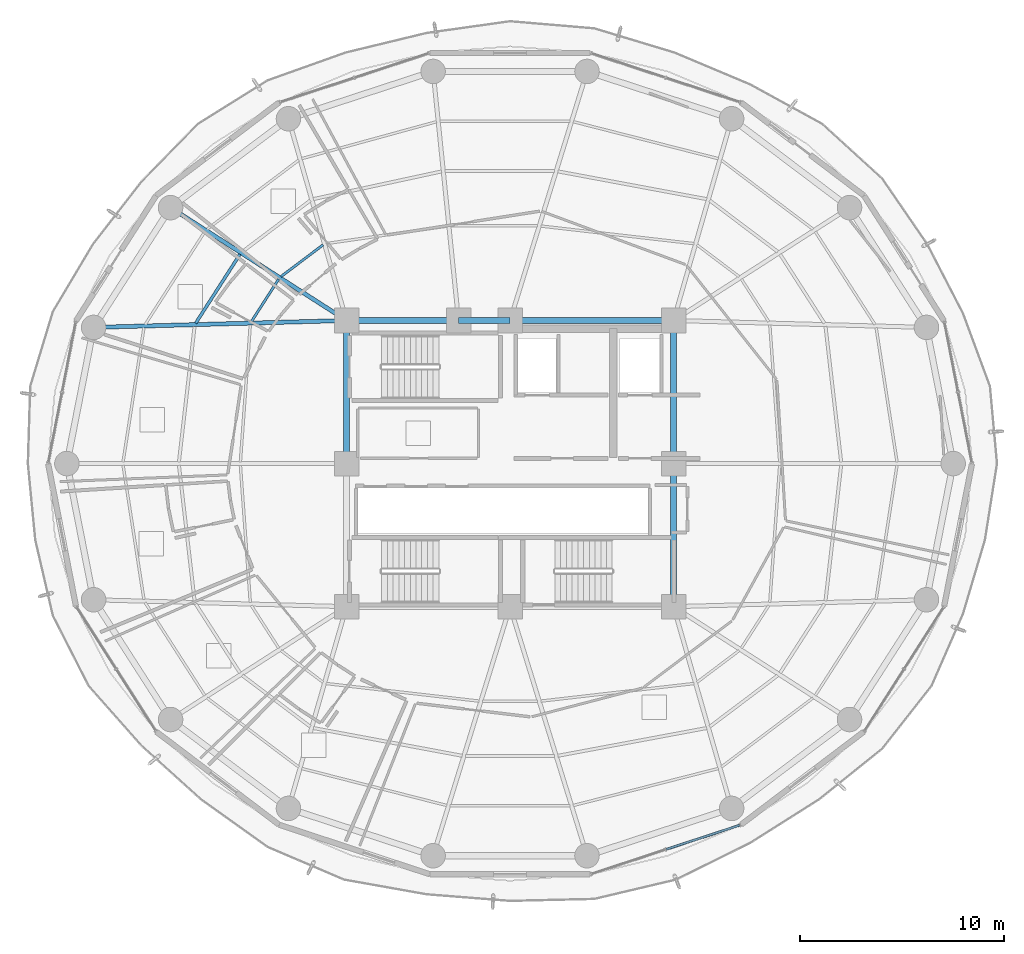
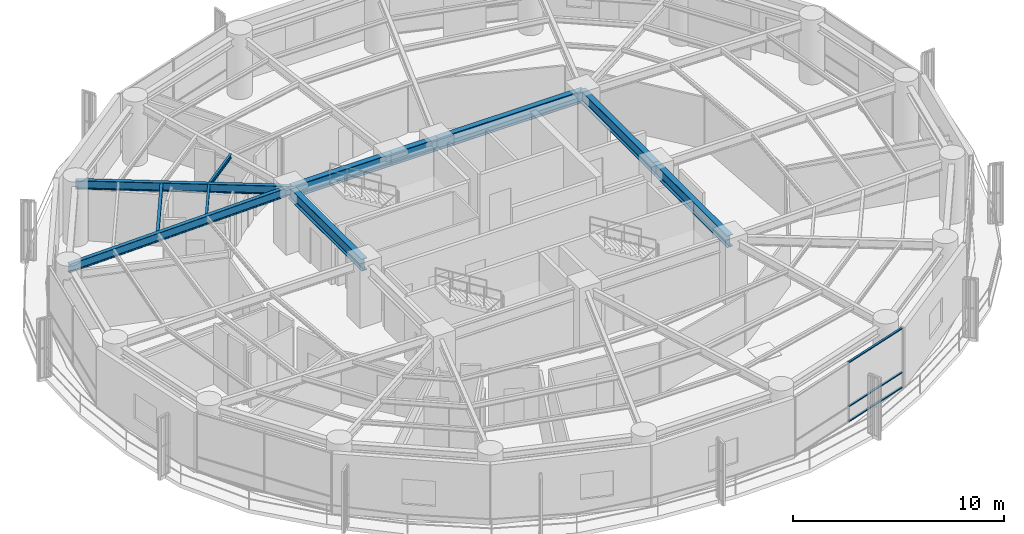
# One storey, part 9 of 27: 11 beams, 3 members, 1 element without a shape of its own.
"""IFC4 building model written with IfcOpenShell, lengths in metres."""

from ifc_helpers import new_model, si_unit, direction, frame, origin, origin_2d, place, context, subcontext, project, spatial, hollow_rectangle, i_section, extrude, material, layer, layer_set, material_profile, profile_set, type_object, element, aggregate, save


model = new_model("IFC4")

# Units and contexts
model_context = context("Model", 3, precision=1e-05, world=origin(), true_north=direction((0.0, 1.0)))
body_context = subcontext(model_context, "Body", "Model", "MODEL_VIEW")
ifc_project = project(units=[si_unit("LENGTHUNIT", "METRE"), si_unit("AREAUNIT", "SQUARE_METRE"), si_unit("VOLUMEUNIT", "CUBIC_METRE"), si_unit("PLANEANGLEUNIT", "RADIAN"), si_unit("MASSUNIT", "GRAM", prefix="KILO")], contexts=[model_context])

# Site, building, storey
site_placement = place(None, origin())
site = spatial("IfcSite", under=ifc_project, at=site_placement, CompositionType="ELEMENT")
building_placement = place(site_placement, origin())
building = spatial("IfcBuilding", under=site, at=building_placement, Name="Kelanora Arch Commons", CompositionType="ELEMENT")
storey_placement = place(building_placement, frame((0.0, 0.0, 154.35009765625)))
storey = spatial("IfcBuildingStorey", under=building, at=storey_placement, Name="L39", CompositionType="ELEMENT", Elevation=154.35009765625)

# Beams
ifc_material_1 = material(Name="Steel S355", Category="steel")
ifc_material_profile_1 = material_profile(ifc_material_1, i_section(OverallWidth=0.300048828125, OverallDepth=0.699951171875, WebThickness=0.01708984375, FlangeThickness=0.031982421875, FilletRadius=0.027099609375, at=origin_2d()), Name="HEB700")
ifc_profile_set_1 = profile_set([ifc_material_profile_1], Name="Steel S355")
beam_type_1 = type_object("IfcBeamType", Name="BM-CORE-HDR", PredefinedType="BEAM", material=ifc_profile_set_1)
for number, where, z_axis, x_axis, name in (
    (1, (82.0, 51.0, 3.139892578125), (0.0, 1.0, 0.0), (-1.0, 0.0, 0.0), "Core Header Beam 03 L39"),
    (2, (82.0, 58.0, 3.139892578125), (0.0, 1.0, 0.0), (-1.0, 0.0, 0.0), "Core Header Beam 04 L39"),
):
    element("IfcBeam", number, at=place(storey_placement, frame(where, z_axis=z_axis, x_axis=x_axis)), inside=storey, type_object=beam_type_1, Name=name, PredefinedType="BEAM", context=body_context, shape_type="SweptSolid", body=[
        extrude(i_section(OverallWidth=0.300048828125, OverallDepth=0.699951171875, WebThickness=0.01708984375, FlangeThickness=0.031982421875, FilletRadius=0.027099609375, at=origin_2d()), origin(), (0.0, 0.0, 1.0), 7.0),
    ])
beam_1_placement = place(storey_placement, frame((82.0, 65.0, 3.139892578125), z_axis=(-1.0, 0.0, 0.0), x_axis=(0.0, -1.0, 0.0)))
element("IfcBeam", 3, at=beam_1_placement, inside=storey, type_object=beam_type_1, Name="Core Header Beam 05 L39", PredefinedType="BEAM", context=body_context, shape_type="SweptSolid", body=[
    extrude(i_section(OverallWidth=0.300048828125, OverallDepth=0.699951171875, WebThickness=0.01708984375, FlangeThickness=0.031982421875, FilletRadius=0.027099609375, at=origin_2d()), origin(), (0.0, 0.0, 1.0), 8.0),
])
beam_2_placement = place(storey_placement, frame((74.0, 65.0, 3.139892578125), z_axis=(-1.0, 0.0, 0.0), x_axis=(0.0, -1.0, 0.0)))
element("IfcBeam", 4, at=beam_2_placement, inside=storey, type_object=beam_type_1, Name="Core Header Beam 06 L39", PredefinedType="BEAM", context=body_context, shape_type="SweptSolid", body=[
    extrude(i_section(OverallWidth=0.300048828125, OverallDepth=0.699951171875, WebThickness=0.01708984375, FlangeThickness=0.031982421875, FilletRadius=0.027099609375, at=origin_2d()), origin(), (0.0, 0.0, 1.0), 2.52001953125),
])
beam_3_placement = place(storey_placement, frame((71.47998046875, 65.0, 3.139892578125), z_axis=(-1.0, 0.0, 0.0), x_axis=(0.0, -1.0, 0.0)))
element("IfcBeam", 5, at=beam_3_placement, inside=storey, type_object=beam_type_1, Name="Core Header Beam 07 L39", PredefinedType="BEAM", context=body_context, shape_type="SweptSolid", body=[
    extrude(i_section(OverallWidth=0.300048828125, OverallDepth=0.699951171875, WebThickness=0.01708984375, FlangeThickness=0.031982421875, FilletRadius=0.027099609375, at=origin_2d()), origin(), (0.0, 0.0, 1.0), 5.47998046875),
])
beam_4_placement = place(storey_placement, frame((66.0, 65.0, 3.139892578125), z_axis=(0.0, -1.0, 0.0), x_axis=(1.0, 0.0, 0.0)))
element("IfcBeam", 6, at=beam_4_placement, inside=storey, type_object=beam_type_1, Name="Core Header Beam 08 L39", PredefinedType="BEAM", context=body_context, shape_type="SweptSolid", body=[
    extrude(i_section(OverallWidth=0.300048828125, OverallDepth=0.699951171875, WebThickness=0.01708984375, FlangeThickness=0.031982421875, FilletRadius=0.027099609375, at=origin_2d()), origin(), (0.0, 0.0, 1.0), 7.0),
])
ifc_material_profile_2 = material_profile(ifc_material_1, i_section(OverallWidth=0.14990234375, OverallDepth=0.300048828125, WebThickness=0.007080078125, FlangeThickness=0.0107421875, FilletRadius=0.014892578125, at=origin_2d()), Name="IPE300")
ifc_profile_set_2 = profile_set([ifc_material_profile_2], Name="Steel S355")
beam_type_2 = type_object("IfcBeamType", Name="BM-JST-01", PredefinedType="JOIST", material=ifc_profile_set_2)
beam_5_placement = place(storey_placement, frame((60.789306640625, 68.241455078125, 3.33984375), z_axis=(-0.540594434398, -0.841283339606, 0.0), x_axis=(0.841283339606, -0.540594434398, 0.0)))
element("IfcBeam", 7, at=beam_5_placement, inside=storey, type_object=beam_type_2, Name="Secondary Chord Joist BJB-14 L39", PredefinedType="JOIST", context=body_context, shape_type="SweptSolid", body=[
    extrude(i_section(OverallWidth=0.14990234375, OverallDepth=0.300048828125, WebThickness=0.007080078125, FlangeThickness=0.0107421875, FilletRadius=0.014892578125, at=origin_2d()), origin(), (0.0, 0.0, 1.0), 4.008544921875),
])
ifc_material_profile_3 = material_profile(ifc_material_1, i_section(OverallWidth=0.1201171875, OverallDepth=0.239990234375, WebThickness=0.006103515625, FlangeThickness=0.009765625, FilletRadius=0.014892578125, at=origin_2d()), Name="IPE240")
ifc_profile_set_3 = profile_set([ifc_material_profile_3], Name="Steel S355")
beam_type_3 = type_object("IfcBeamType", Name="BM-JST-02", PredefinedType="JOIST", material=ifc_profile_set_3)
beam_6_placement = place(storey_placement, frame((64.852783203125, 68.699462890625, 3.369873046875), z_axis=(-0.798484118859, -0.602015873487, 0.0), x_axis=(0.602015873487, -0.798484118859, 0.0)))
element("IfcBeam", 8, at=beam_6_placement, inside=storey, type_object=beam_type_3, Name="Secondary Chord Joist BJA-12 L39", PredefinedType="JOIST", context=body_context, shape_type="SweptSolid", body=[
    extrude(i_section(OverallWidth=0.1201171875, OverallDepth=0.239990234375, WebThickness=0.006103515625, FlangeThickness=0.009765625, FilletRadius=0.014892578125, at=origin_2d()), origin(), (0.0, 0.0, 1.0), 2.57470703125),
])
beam_7_placement = place(storey_placement, frame((62.68310546875, 67.026611328125, 3.369873046875), z_axis=(-0.540583174025, -0.841290575224, 0.0), x_axis=(0.841290575224, -0.540583174025, 0.0)))
element("IfcBeam", 9, at=beam_7_placement, inside=storey, type_object=beam_type_3, Name="Secondary Chord Joist BJA-14 L39", PredefinedType="JOIST", context=body_context, shape_type="SweptSolid", body=[
    extrude(i_section(OverallWidth=0.1201171875, OverallDepth=0.239990234375, WebThickness=0.006103515625, FlangeThickness=0.009765625, FilletRadius=0.014892578125, at=origin_2d()), origin(), (0.0, 0.0, 1.0), 2.476318359375),
])
ifc_material_profile_4 = material_profile(ifc_material_1, i_section(OverallWidth=0.199951171875, OverallDepth=0.5, WebThickness=0.01025390625, FlangeThickness=0.01611328125, FilletRadius=0.02099609375, at=origin_2d()), Name="IPE500")
ifc_profile_set_4 = profile_set([ifc_material_profile_4], Name="Steel S355")
beam_type_4 = type_object("IfcBeamType", Name="BM-RAD-Z3", PredefinedType="BEAM", material=ifc_profile_set_4)
beam_8_placement = place(storey_placement, frame((66.0, 65.0, 3.239990234375), z_axis=(-0.841719465748, 0.539915123868, 0.0), x_axis=(-0.539915123868, -0.841719465748, 0.0)))
element("IfcBeam", 10, at=beam_8_placement, inside=storey, type_object=beam_type_4, Name="Radial Floor Girder BR-14 L39", PredefinedType="BEAM", context=body_context, shape_type="SweptSolid", body=[
    extrude(i_section(OverallWidth=0.199951171875, OverallDepth=0.5, WebThickness=0.01025390625, FlangeThickness=0.01611328125, FilletRadius=0.02099609375, at=origin_2d()), origin(), (0.0, 0.0, 1.0), 10.2265625),
])
beam_9_placement = place(storey_placement, frame((66.0, 65.0, 3.239990234375), z_axis=(-0.999628374924, -0.027260081577, 0.0), x_axis=(0.027260081577, -0.999628374924, 0.0)))
element("IfcBeam", 11, at=beam_9_placement, inside=storey, type_object=beam_type_4, Name="Radial Floor Girder BR-16 L39", PredefinedType="BEAM", context=body_context, shape_type="SweptSolid", body=[
    extrude(i_section(OverallWidth=0.199951171875, OverallDepth=0.5, WebThickness=0.01025390625, FlangeThickness=0.01611328125, FilletRadius=0.02099609375, at=origin_2d()), origin(), (0.0, 0.0, 1.0), 12.377197265625),
])

# Curtain wall, members
ifc_material_2 = material(Name="Terracotta ceramic-fritted low-E glass and aluminium", Category="masonry")
ifc_layer = layer(ifc_material_2, 0.175048828125)
ifc_layer_set = layer_set([ifc_layer], Name="Terracotta ceramic-fritted low-E glass and aluminium")
curtain_wall_type = type_object("IfcCurtainWallType", Name="CW-SYS-02", PredefinedType="NOTDEFINED", material=ifc_layer_set)
curtain_wall_placement = place(storey_placement, origin())
curtain_wall = element("IfcCurtainWall", 12, at=curtain_wall_placement, inside=storey, type_object=curtain_wall_type, Name="Unitised Curtain Wall L39-B14", PredefinedType="NOTDEFINED")
ifc_material_3 = material(Name="Powder-coated aluminium terracotta", Category="masonry")
ifc_material_profile_5 = material_profile(ifc_material_3, hollow_rectangle(XDim=0.1201171875, YDim=0.06005859375, WallThickness=0.0048828125, InnerFilletRadius=0.0048828125, OuterFilletRadius=0.010009765625, at=origin_2d()), Name="CWT120x60")
ifc_profile_set_5 = profile_set([ifc_material_profile_5], Name="Powder-coated aluminium terracotta")
member_type = type_object("IfcMemberType", Name="CWT-STD", PredefinedType="USERDEFINED", material=ifc_profile_set_5)
member_1_placement = place(storey_placement, frame((81.640625, 39.130859375, 0.02978515625), z_axis=(0.950051191155, 0.312094111104, 0.0), x_axis=(-0.312094111104, 0.950051191155, 0.0)))
member_1 = element("IfcMember", 13, at=member_1_placement, type_object=member_type, Name="CW-02 transom 2.1", ObjectType="TRANSOM", PredefinedType="USERDEFINED", context=body_context, shape_type="SweptSolid", body=[
    extrude(hollow_rectangle(XDim=0.1201171875, YDim=0.06005859375, WallThickness=0.0048828125, InnerFilletRadius=0.0048828125, OuterFilletRadius=0.010009765625, at=origin_2d()), origin(), (0.0, 0.0, 1.0), 3.77685546875),
])
member_2_placement = place(storey_placement, frame((81.640625, 39.130859375, 0.89990234375), z_axis=(0.950051191155, 0.312094111104, 0.0), x_axis=(-0.312094111104, 0.950051191155, 0.0)))
member_2 = element("IfcMember", 14, at=member_2_placement, type_object=member_type, Name="CW-02 transom 2.2", ObjectType="TRANSOM", PredefinedType="USERDEFINED", context=body_context, shape_type="SweptSolid", body=[
    extrude(hollow_rectangle(XDim=0.1201171875, YDim=0.06005859375, WallThickness=0.0048828125, InnerFilletRadius=0.0048828125, OuterFilletRadius=0.010009765625, at=origin_2d()), origin(), (0.0, 0.0, 1.0), 3.77685546875),
])
member_3_placement = place(storey_placement, frame((81.640625, 39.130859375, 3.44482421875), z_axis=(0.950051191155, 0.312094111104, 0.0), x_axis=(-0.312094111104, 0.950051191155, 0.0)))
member_3 = element("IfcMember", 15, at=member_3_placement, type_object=member_type, Name="CW-02 transom 2.3", ObjectType="TRANSOM", PredefinedType="USERDEFINED", context=body_context, shape_type="SweptSolid", body=[
    extrude(hollow_rectangle(XDim=0.1201171875, YDim=0.06005859375, WallThickness=0.0048828125, InnerFilletRadius=0.0048828125, OuterFilletRadius=0.010009765625, at=origin_2d()), origin(), (0.0, 0.0, 1.0), 3.77685546875),
])
aggregate(curtain_wall, [member_1, member_2, member_3])

save(model, "model.ifc")
